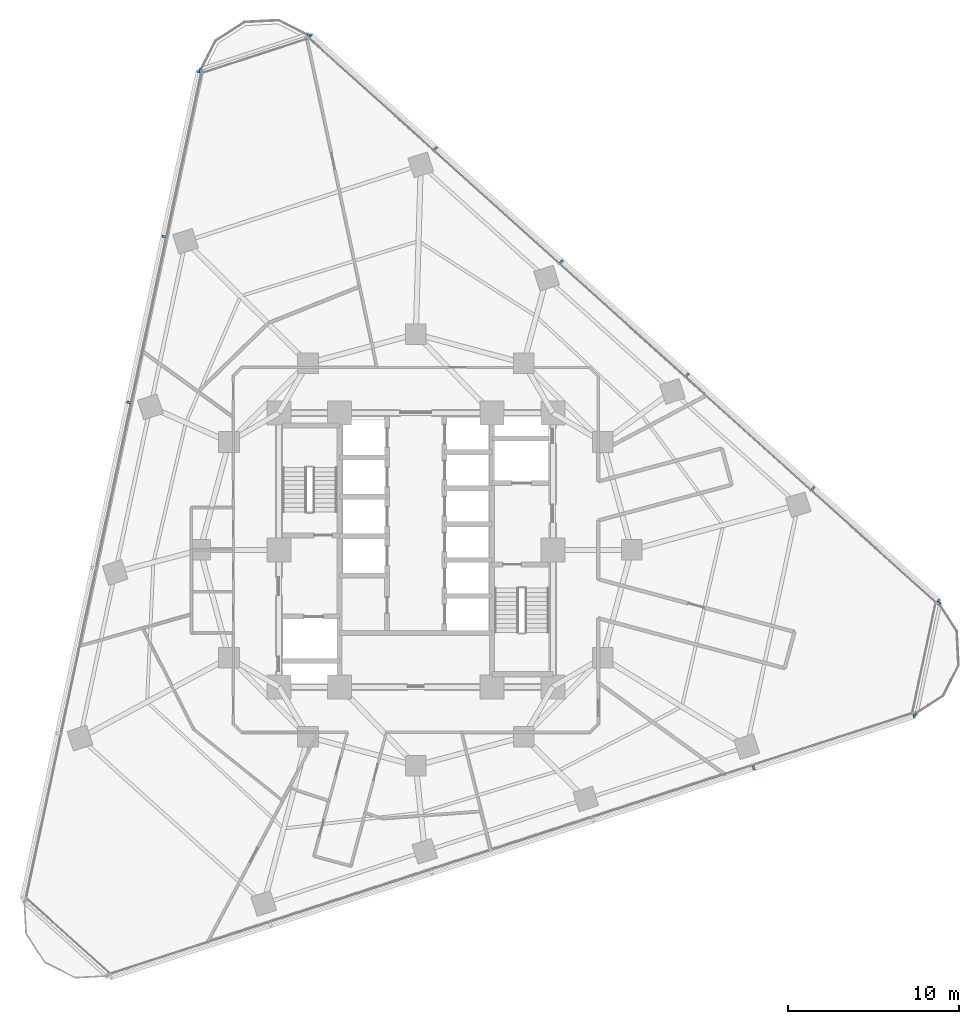
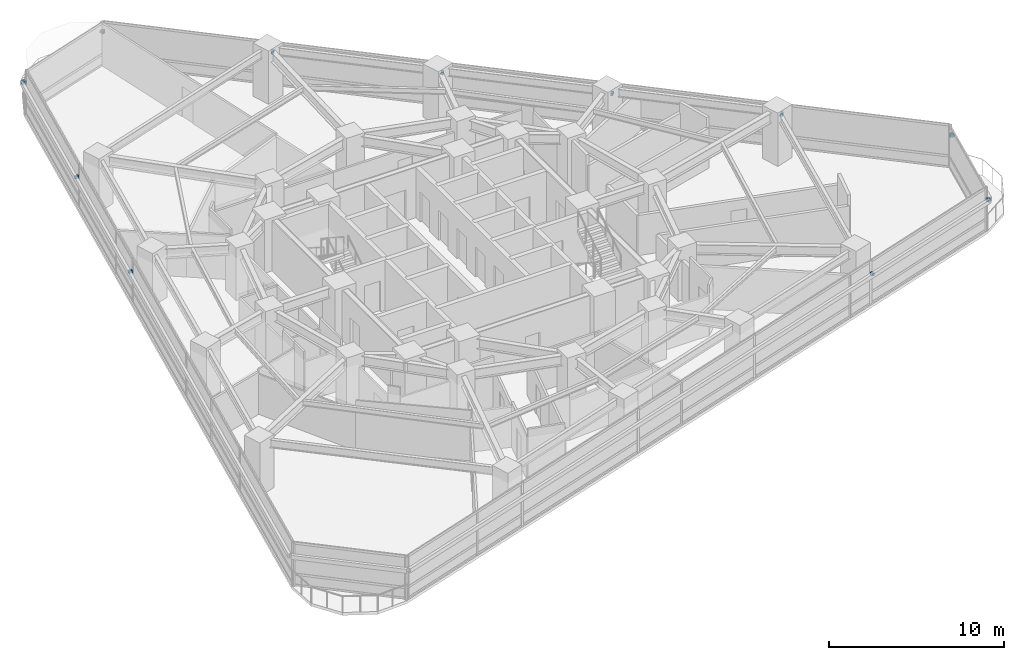
# One storey, part 10 of 13: 15 discrete accessories.
"""IFC4 building model written with IfcOpenShell, lengths in metres."""

from ifc_helpers import new_model, si_unit, direction, frame, origin, origin_2d, place, context, subcontext, project, spatial, rectangle, extrude, material, type_object, element, save


model = new_model("IFC4")

# Units and contexts
model_context = context("Model", 3, precision=1e-05, world=origin(), true_north=direction((0.0, 1.0)))
body_context = subcontext(model_context, "Body", "Model", "MODEL_VIEW")
ifc_project = project(units=[si_unit("LENGTHUNIT", "METRE"), si_unit("AREAUNIT", "SQUARE_METRE"), si_unit("VOLUMEUNIT", "CUBIC_METRE"), si_unit("PLANEANGLEUNIT", "RADIAN"), si_unit("MASSUNIT", "GRAM", prefix="KILO")], contexts=[model_context])

# Site, building, storey
site_placement = place(None, origin())
site = spatial("IfcSite", under=ifc_project, at=site_placement, CompositionType="ELEMENT")
building_placement = place(site_placement, origin())
building = spatial("IfcBuilding", under=site, at=building_placement, Name="Terralouvre Media Tower", CompositionType="ELEMENT")
storey_placement = place(building_placement, frame((0.0, 0.0, 90.300048828125)))
storey = spatial("IfcBuildingStorey", under=building, at=storey_placement, Name="L22", CompositionType="ELEMENT", Elevation=90.300048828125)

# Discrete accessories
ifc_material = material(Name="Anodised extruded aluminium 6063-T6", Category="aluminium")
discrete_accessory_type = type_object("IfcDiscreteAccessoryType", Name="Mullion Stand-Off Baguette Fixing Bracket BK-01", PredefinedType="BRACKET", material=ifc_material)
for number, where, z_axis, x_axis, name in (
    (1, (19.727783203125, -12.71826171875, 2.07421875), (0.0, 0.0, 1.0), (0.951056509451, 0.309017015439, 0.0), "CW-L22-F0 Baguette Outrigger Bracket 1.05"),
    (2, (29.09619140625, -9.67431640625, 2.07421875), (0.0, 0.0, 1.0), (0.951056509451, 0.309017015439, 0.0), "CW-L22-F0 Baguette Outrigger Bracket 1.06"),
    (3, (30.515625, -2.996337890625, 2.07421875), (0.0, 0.0, 1.0), (-0.743144795545, 0.669130639602, 0.0), "CW-L22-F1 Baguette Outrigger Bracket 1.01"),
    (4, (23.1953125, 3.5947265625, 2.07421875), (0.0, 0.0, 1.0), (-0.743144795545, 0.669130639602, 0.0), "CW-L22-F1 Baguette Outrigger Bracket 1.02"),
    (5, (15.846923828125, 10.211181640625, 2.07421875), (0.0, 0.0, 1.0), (-0.743144795545, 0.669130639602, 0.0), "CW-L22-F1 Baguette Outrigger Bracket 1.03"),
    (6, (8.498779296875, 16.82763671875, 2.07421875), (0.0, 0.0, 1.0), (-0.743144795545, 0.669130639602, 0.0), "CW-L22-F1 Baguette Outrigger Bracket 1.04"),
    (7, (1.150634765625, 23.44384765625, 2.07421875), (0.0, 0.0, 1.0), (-0.743144795545, 0.669130639602, 0.0), "CW-L22-F1 Baguette Outrigger Bracket 1.05"),
    (8, (-6.169677734375, 30.03515625, 2.07421875), (0.0, 0.0, 1.0), (-0.743144795545, 0.669130639602, 0.0), "CW-L22-F1 Baguette Outrigger Bracket 1.06"),
    (9, (-12.662841796875, 27.925537109375, 2.07421875), (0.0, 0.0, 1.0), (-0.207911643887, -0.978147610709, 0.0), "CW-L22-F2 Baguette Outrigger Bracket 1.01"),
    (10, (-14.710693359375, 18.290283203125, 2.07421875), (0.0, 0.0, 1.0), (-0.207911643887, -0.978147610709, 0.0), "CW-L22-F2 Baguette Outrigger Bracket 1.02"),
    (11, (-16.7666015625, 8.618408203125, 2.07421875), (0.0, 0.0, 1.0), (-0.207911643887, -0.978147610709, 0.0), "CW-L22-F2 Baguette Outrigger Bracket 1.03"),
    (12, (29.146728515625, -9.59228515625, 2.07421875), (0.0, 0.0, 1.0), (0.207911611348, 0.978147617626, 0.0), "CW-L22-C1 Baguette Outrigger Bracket 1.01"),
    (13, (30.5283203125, -3.092041015625, 2.07421875), (0.0, 0.0, 1.0), (0.207911611348, 0.978147617626, 0.0), "CW-L22-C1 Baguette Outrigger Bracket 1.02"),
    (14, (-6.266357421875, 30.0380859375, 2.07421875), (0.0, 0.0, 1.0), (-0.951056286408, -0.309017701894, 0.0), "CW-L22-C2 Baguette Outrigger Bracket 1.01"),
    (15, (-12.58642578125, 27.984375, 2.07421875), (0.0, 0.0, 1.0), (-0.951056286408, -0.309017701894, 0.0), "CW-L22-C2 Baguette Outrigger Bracket 1.02"),
):
    element("IfcDiscreteAccessory", number, at=place(storey_placement, frame(where, z_axis=z_axis, x_axis=x_axis)), inside=storey, type_object=discrete_accessory_type, Name=name, PredefinedType="BRACKET", context=body_context, shape_type="SweptSolid", body=[
        extrude(rectangle(XDim=0.139892578125, YDim=0.239990234375, at=origin_2d()), origin(), (0.0, 0.0, 1.0), 0.179931640625),
    ])

save(model, "model.ifc")
